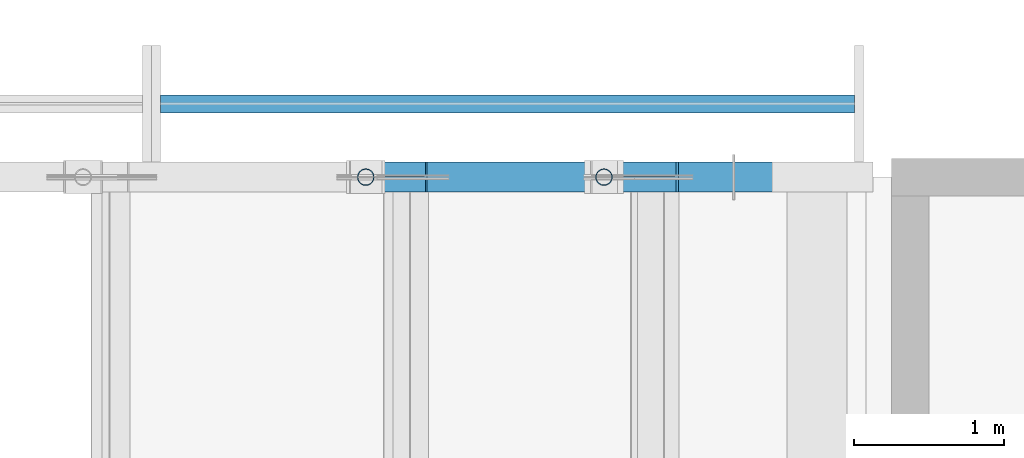
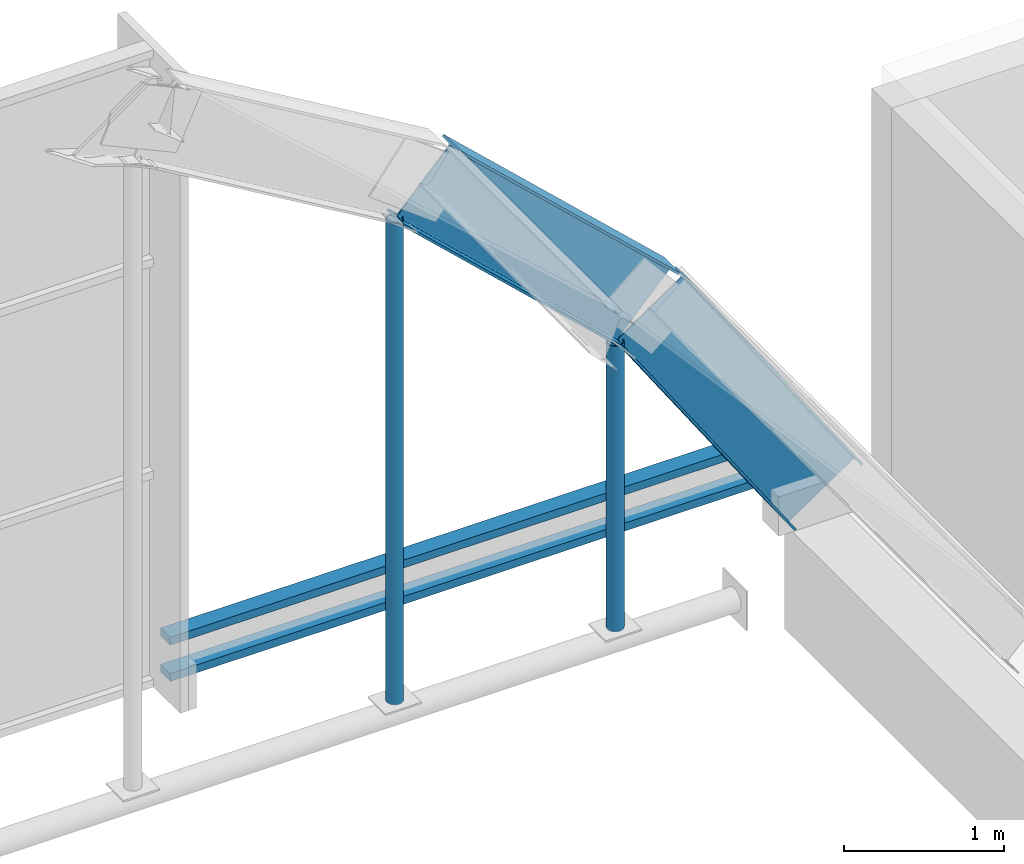
# One storey, part 32 of 79: 4 members, 2 beams, 1 element without a shape of its own.
"""IFC4 building model written with IfcOpenShell, lengths in metres."""

from ifc_helpers import new_model, si_unit, direction, frame, origin, origin_2d, place, context, subcontext, project, spatial, rectangle, hollow_circle, i_section, extrude, material, layer, layer_set, material_profile, profile_set, type_object, element, aggregate, save


model = new_model("IFC4")

# Units and contexts
model_context = context("Model", 3, precision=1e-05, world=origin(), true_north=direction((0.0, 1.0)))
body_context = subcontext(model_context, "Body", "Model", "MODEL_VIEW")
ifc_project = project(units=[si_unit("LENGTHUNIT", "METRE"), si_unit("AREAUNIT", "SQUARE_METRE"), si_unit("VOLUMEUNIT", "CUBIC_METRE"), si_unit("PLANEANGLEUNIT", "RADIAN"), si_unit("MASSUNIT", "GRAM", prefix="KILO")], contexts=[model_context])

# Site, building, storey
site_placement = place(None, origin())
site = spatial("IfcSite", under=ifc_project, at=site_placement, CompositionType="ELEMENT")
building_placement = place(site_placement, origin())
building = spatial("IfcBuilding", under=site, at=building_placement, Name="Guidao Yard Department Store", CompositionType="ELEMENT")
storey_placement = place(building_placement, frame((0.0, 0.0, 15.0)))
storey = spatial("IfcBuildingStorey", under=building, at=storey_placement, Name="L03", CompositionType="ELEMENT", Elevation=15.0)

# Members
ifc_material_1 = material(Name="Steel Q355B", Category="steel")
ifc_material_profile_1 = material_profile(ifc_material_1, hollow_circle(Radius=0.056884765625, WallThickness=0.006103515625, at=origin_2d()), Name="CHS 114x6")
ifc_profile_set_1 = profile_set([ifc_material_profile_1], Name="Steel Q355B")
member_type_1 = type_object("IfcMemberType", Name="CHS 114x6", PredefinedType="BRACE", material=ifc_profile_set_1)
member_1_placement = place(storey_placement, frame((96.1865234375, 108.0, -0.360107421875), z_axis=(0.0, 0.0, 1.0), x_axis=(1.0, 0.0, 0.0)))
element("IfcMember", 1, at=member_1_placement, inside=storey, type_object=member_type_1, Name="Roof web strut C08-08", PredefinedType="BRACE", context=body_context, shape_type="SweptSolid", body=[
    extrude(hollow_circle(Radius=0.056884765625, WallThickness=0.006103515625, at=origin_2d()), origin(), (0.0, 0.0, 1.0), 3.67431640625),
])
member_2_placement = place(storey_placement, frame((97.778076171875, 108.0, -0.360107421875), z_axis=(0.0, 0.0, 1.0), x_axis=(1.0, 0.0, 0.0)))
element("IfcMember", 2, at=member_2_placement, inside=storey, type_object=member_type_1, Name="Roof web strut C08-09", PredefinedType="BRACE", context=body_context, shape_type="SweptSolid", body=[
    extrude(hollow_circle(Radius=0.056884765625, WallThickness=0.006103515625, at=origin_2d()), origin(), (0.0, 0.0, 1.0), 2.180908203125),
])

# Beams
ifc_material_2 = material(Name="Steel Q355B", Category="steel")
ifc_material_profile_2 = material_profile(ifc_material_2, i_section(OverallWidth=0.199951171875, OverallDepth=0.60009765625, WebThickness=0.010986328125, FlangeThickness=0.01708984375, FilletRadius=0.012939453125, at=origin_2d()), Name="HN 600x200x11x17")
ifc_profile_set_2 = profile_set([ifc_material_profile_2], Name="Steel Q355B")
beam_type = type_object("IfcBeamType", Name="HN 600x200x11x17", PredefinedType="BEAM", material=ifc_profile_set_2)
beam_1_placement = place(storey_placement, frame((96.391845703125, 108.0, 3.532958984375), z_axis=(0.729181254966, 0.0, -0.684320610099), x_axis=(0.0, 1.0, 0.0)))
element("IfcBeam", 3, at=beam_1_placement, inside=storey, type_object=beam_type, Name="Roof rib C08-09", PredefinedType="BEAM", context=body_context, shape_type="SweptSolid", body=[
    extrude(i_section(OverallWidth=0.199951171875, OverallDepth=0.60009765625, WebThickness=0.010986328125, FlangeThickness=0.01708984375, FilletRadius=0.012939453125, at=origin_2d()), origin(), (0.0, 0.0, 1.0), 2.182373046875),
])
beam_2_placement = place(storey_placement, frame((98.026123046875, 108.0, 1.989501953125), z_axis=(0.561973245007, 0.0, -0.827155409761), x_axis=(0.0, 1.0, 0.0)))
element("IfcBeam", 4, at=beam_2_placement, inside=storey, type_object=beam_type, Name="Roof rib C08-10", PredefinedType="BEAM", context=body_context, shape_type="SweptSolid", body=[
    extrude(i_section(OverallWidth=0.199951171875, OverallDepth=0.60009765625, WebThickness=0.010986328125, FlangeThickness=0.01708984375, FilletRadius=0.012939453125, at=origin_2d()), origin(), (0.0, 0.0, 1.0), 2.201171875),
])

# Curtain wall, members
ifc_material_3 = material(Name="Aluminium and glass", Category="aluminium")
ifc_layer = layer(ifc_material_3, 0.159912109375)
ifc_layer_set = layer_set([ifc_layer], Name="Gable glazing CW7 1500 module")
curtain_wall_type = type_object("IfcCurtainWallType", Name="Gable glazing CW7 1500 module", PredefinedType="NOTDEFINED", material=ifc_layer_set)
curtain_wall_placement = place(storey_placement, origin())
curtain_wall = element("IfcCurtainWall", 5, at=curtain_wall_placement, inside=storey, type_object=curtain_wall_type, Name="Gable glazing CN4", PredefinedType="NOTDEFINED")
ifc_material_4 = material(Name="Aluminium 6063-T5", Category="aluminium")
ifc_material_profile_3 = material_profile(ifc_material_4, rectangle(XDim=0.1201171875, YDim=0.06005859375, at=origin_2d()), Name="Transom T1 60 x 120 aluminium pressure plate")
ifc_profile_set_3 = profile_set([ifc_material_profile_3], Name="Aluminium 6063-T5")
member_type_2 = type_object("IfcMemberType", Name="Transom T1 60 x 120 aluminium pressure plate", PredefinedType="USERDEFINED", material=ifc_profile_set_3)
member_3_placement = place(storey_placement, frame((94.815673828125, 108.489990234375, 0.030029296875), z_axis=(1.0, 0.0, 0.0), x_axis=(0.0, 1.0, 0.0)))
member_3 = element("IfcMember", 6, at=member_3_placement, type_object=member_type_2, Name="CW-TCN4 transom 1.1", ObjectType="TRANSOM", PredefinedType="USERDEFINED", context=body_context, shape_type="SweptSolid", body=[
    extrude(rectangle(XDim=0.1201171875, YDim=0.06005859375, at=origin_2d()), origin(), (0.0, 0.0, 1.0), 4.6357421875),
])
member_4_placement = place(storey_placement, frame((94.815673828125, 108.489990234375, 0.30712890625), z_axis=(1.0, 0.0, 0.0), x_axis=(0.0, 1.0, 0.0)))
member_4 = element("IfcMember", 7, at=member_4_placement, type_object=member_type_2, Name="CW-TCN4 transom 1.2", ObjectType="TRANSOM", PredefinedType="USERDEFINED", context=body_context, shape_type="SweptSolid", body=[
    extrude(rectangle(XDim=0.1201171875, YDim=0.06005859375, at=origin_2d()), origin(), (0.0, 0.0, 1.0), 4.6357421875),
])
aggregate(curtain_wall, [member_3, member_4])

save(model, "model.ifc")
